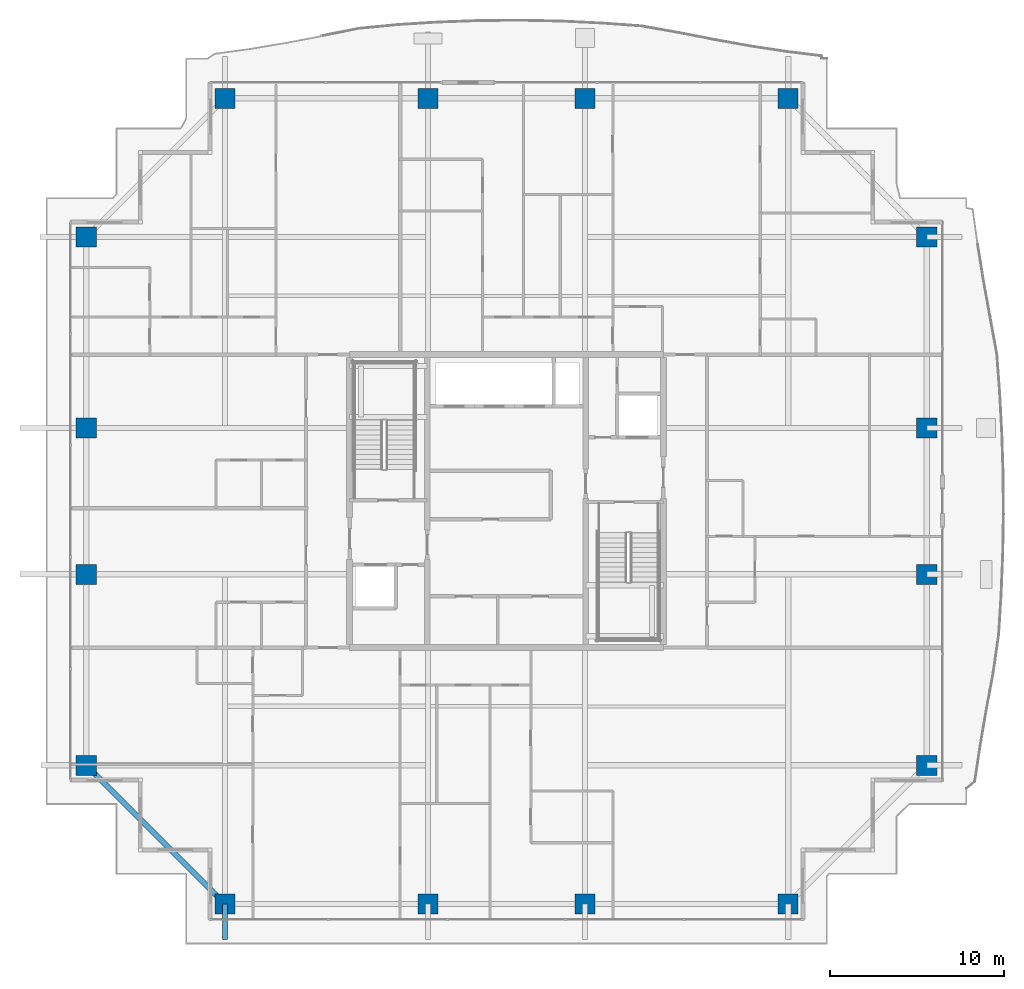
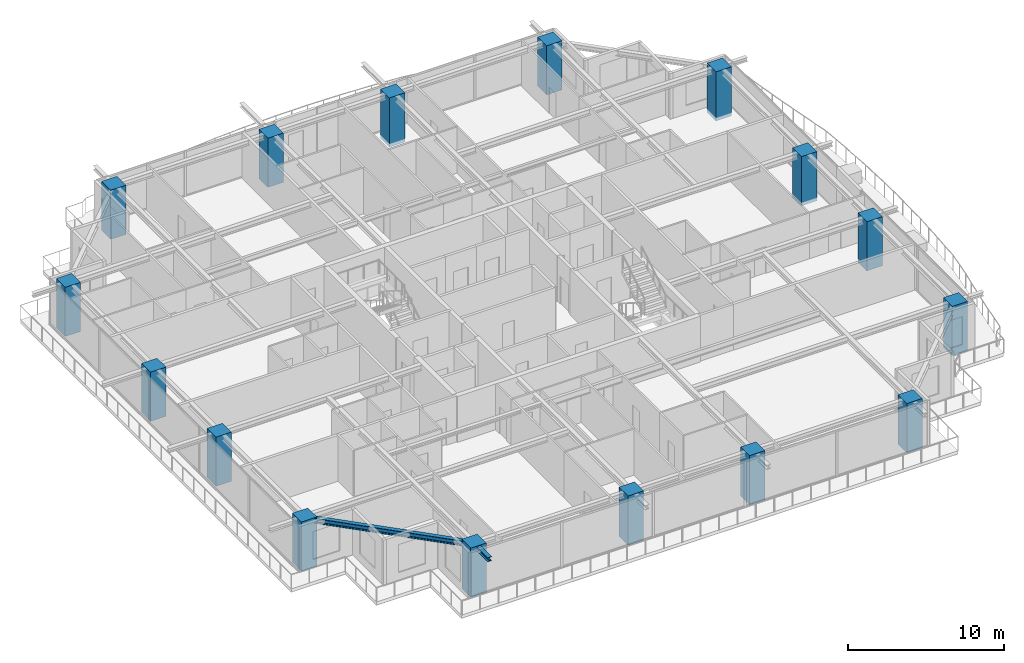
# One storey, part 1 of 37: 16 columns, 2 beams.
"""IFC4 building model written with IfcOpenShell, lengths in metres."""

import ifcopenshell
import ifcopenshell.guid

model = None  # the IFC model being written
_history = None  # IfcOwnerHistory: only IFC2X3 demands one
_inside = {}  # id of a spatial element -> (the spatial element, [elements in it])
_under = {}  # id of a project, library or spatial element -> (it, [spatial elements below it])
_declared = {}  # id of a project -> (the project, [libraries it declares])
_typed = {}  # id of a type object -> (the type object, [elements of that type])
_made_of = {}  # id of a material, layer set ... -> (it, [elements and type objects made of it])


def new_model(schema):
    """Start an empty IFC model of exactly this schema.

    Asked for "IFC4X3", IfcOpenShell would pick the latest addendum, in which some entities
    have other attributes; the version numbers below select the first issue.
    IFC2X3 requires an IfcOwnerHistory on every rooted entity: one is made here for all.
    """
    global model, _history
    if schema == "IFC4X3":
        model = ifcopenshell.file(schema_version=(4, 3, 0, 0))
    else:
        model = ifcopenshell.file(schema=schema)
    _inside.clear()
    _under.clear()
    _declared.clear()
    _typed.clear()
    _made_of.clear()
    _history = None
    if model.schema == "IFC2X3":
        org = make("IfcOrganization", Name="unknown")
        user = make(
            "IfcPersonAndOrganization",
            ThePerson=make("IfcPerson", FamilyName="unknown"),
            TheOrganization=org,
        )
        app = make(
            "IfcApplication",
            ApplicationDeveloper=org,
            Version="unknown",
            ApplicationFullName="unknown",
            ApplicationIdentifier="unknown",
        )
        _history = make(
            "IfcOwnerHistory",
            OwningUser=user,
            OwningApplication=app,
            ChangeAction="ADDED",
            CreationDate=0,
        )
    return model


def make(cls, **values):
    """One entity of the class cls with the attributes given. An attribute that is None is left unset."""
    return model.create_entity(
        cls, **{name: value for name, value in values.items() if value is not None}
    )


def rooted(cls, **values):
    """An entity with a GlobalId (a new one), such as an element, a storey or a relation."""
    return make(cls, GlobalId=ifcopenshell.guid.new(), OwnerHistory=_history, **values)


def si_unit(unit_type, name, prefix=None):
    """IfcSIUnit, for example si_unit("LENGTHUNIT", "METRE", prefix="MILLI")."""
    return make("IfcSIUnit", UnitType=unit_type, Prefix=prefix, Name=name)


def assignment(units):
    """IfcUnitAssignment: the units of a project."""
    return None if units is None else make("IfcUnitAssignment", Units=units)


def point(xyz):
    """IfcCartesianPoint."""
    return None if xyz is None else make("IfcCartesianPoint", Coordinates=xyz)


def direction(xyz):
    """IfcDirection."""
    return None if xyz is None else make("IfcDirection", DirectionRatios=xyz)


def frame(location, z_axis=None, x_axis=None):
    """IfcAxis2Placement3D, a coordinate frame: its origin and axes. An axis left out is left unset."""
    return make(
        "IfcAxis2Placement3D",
        Location=point(location),
        Axis=direction(z_axis),
        RefDirection=direction(x_axis),
    )


def frame_2d(location, x_axis=None):
    """IfcAxis2Placement2D, a coordinate frame in the plane: its origin and x axis."""
    return make(
        "IfcAxis2Placement2D", Location=point(location), RefDirection=direction(x_axis)
    )


def origin():
    """The frame at (0, 0, 0) with its axes left unset."""
    return frame((0.0, 0.0, 0.0))


def origin_2d():
    """The frame at (0, 0) in the plane with its x axis left unset."""
    return frame_2d((0.0, 0.0))


def place(relative_to, where):
    """IfcLocalPlacement: puts the frame where relative to a parent placement (None: the world)."""
    return make(
        "IfcLocalPlacement", PlacementRelTo=relative_to, RelativePlacement=where
    )


def context(
    kind, dimensions, precision=None, world=None, true_north=None, identifier=None
):
    """IfcGeometricRepresentationContext, for example the 3D "Model" context."""
    return make(
        "IfcGeometricRepresentationContext",
        ContextIdentifier=identifier,
        ContextType=kind,
        CoordinateSpaceDimension=dimensions,
        Precision=precision,
        WorldCoordinateSystem=world,
        TrueNorth=true_north,
    )


def subcontext(parent, identifier, kind, view, scale=None):
    """IfcGeometricRepresentationSubContext, for example "Body" below "Model"."""
    return make(
        "IfcGeometricRepresentationSubContext",
        ContextIdentifier=identifier,
        ContextType=kind,
        ParentContext=parent,
        TargetScale=scale,
        TargetView=view,
    )


def project(units=None, contexts=None):
    """IfcProject with its units and contexts."""
    return rooted(
        "IfcProject",
        Name="project",
        RepresentationContexts=contexts,
        UnitsInContext=assignment(units),
    )


def spatial(cls, under=None, at=None, **own):
    """A site, building, storey or space (cls), placed at a placement, below another one or the project."""
    s = rooted(cls, ObjectPlacement=at, **own)
    if under is not None:
        _under.setdefault(under.id(), (under, []))[1].append(s)
    return s


def profile(cls, at=None, kind="AREA", **sizes):
    """A parametric profile (cls). Its sizes go by their IFC names, for example OverallWidth=200.0."""
    return make(cls, ProfileType=kind, Position=at, **sizes)


def rectangle(**sizes):
    """IfcRectangleProfileDef."""
    return profile("IfcRectangleProfileDef", **sizes)


def i_section(**sizes):
    """IfcIShapeProfileDef."""
    return profile("IfcIShapeProfileDef", **sizes)


def extrude(swept, where, along, depth):
    """IfcExtrudedAreaSolid: the profile swept, set in the frame where, extruded along a direction by depth."""
    return make(
        "IfcExtrudedAreaSolid",
        SweptArea=swept,
        Position=where,
        ExtrudedDirection=direction(along),
        Depth=depth,
    )


def shape(context_of_items, identifier, shape_type, items):
    """IfcShapeRepresentation: the items that make up one representation, for example the "Body"."""
    return make(
        "IfcShapeRepresentation",
        ContextOfItems=context_of_items,
        RepresentationIdentifier=identifier,
        RepresentationType=shape_type,
        Items=items,
    )


def source(mapping_origin, context_of_items, identifier, shape_type, items):
    """IfcRepresentationMap: a shape defined once, which mapped items show again and again."""
    return make(
        "IfcRepresentationMap",
        MappingOrigin=mapping_origin,
        MappedRepresentation=shape(context_of_items, identifier, shape_type, items),
    )


def transform(
    local_origin,
    x_axis=None,
    y_axis=None,
    z_axis=None,
    scale=None,
    scale2=None,
    scale3=None,
    uniform=True,
):
    """IfcCartesianTransformationOperator3D, or its non-uniform kind. x_axis, y_axis, z_axis: its Axis1, 2, 3."""
    if uniform:
        return make(
            "IfcCartesianTransformationOperator3D",
            Axis1=direction(x_axis),
            Axis2=direction(y_axis),
            LocalOrigin=point(local_origin),
            Scale=scale,
            Axis3=direction(z_axis),
        )
    return make(
        "IfcCartesianTransformationOperator3DnonUniform",
        Axis1=direction(x_axis),
        Axis2=direction(y_axis),
        LocalOrigin=point(local_origin),
        Scale=scale,
        Axis3=direction(z_axis),
        Scale2=scale2,
        Scale3=scale3,
    )


def mapped(mapping_source, mapping_target):
    """IfcMappedItem: shows the shape of a source again, moved by a transform."""
    return make(
        "IfcMappedItem", MappingSource=mapping_source, MappingTarget=mapping_target
    )


def material(Name=None, Category=None):
    """IfcMaterial."""
    return make("IfcMaterial", Name=Name, Category=Category)


def material_profile(
    of_material, cross_section, Name=None, Category=None, Priority=None
):
    """IfcMaterialProfile: a cross section and its material."""
    return make(
        "IfcMaterialProfile",
        Name=Name,
        Material=of_material,
        Profile=cross_section,
        Priority=Priority,
        Category=Category,
    )


def profile_set(profiles, Name=None, composite=None):
    """IfcMaterialProfileSet."""
    return make(
        "IfcMaterialProfileSet",
        Name=Name,
        MaterialProfiles=profiles,
        CompositeProfile=composite,
    )


def made_of(thing, what):
    """Note that an element or type object is made of a material, layer set ...; save() writes the relation."""
    if what is not None:
        _made_of.setdefault(what.id(), (what, []))[1].append(thing)
    return thing


def type_object(cls, material=None, **own):
    """A type object (cls), such as IfcWallType, which elements share."""
    return made_of(rooted(cls, **own), material)


def element(
    cls,
    number,
    at=None,
    inside=None,
    cuts=None,
    type_object=None,
    material=None,
    context=None,
    identifier="Body",
    shape_type=None,
    held_by="IfcProductDefinitionShape",
    body=None,
    shapes=None,
    **own,
):
    """One element of the class cls, such as IfcWall. Its Tag is "e" and its number.

    at: its placement. inside: the storey or other place that contains it. cuts: it is an
    opening in that element (IfcRelVoidsElement). A single representation is given by context,
    identifier, shape_type and body (its items); several are given by shapes. held_by: the class
    of the entity that holds the representations. save() writes the other relations.
    """
    e = rooted(cls, Tag="e%d" % number, ObjectPlacement=at, **own)
    if body is not None:
        shapes = [shape(context, identifier, shape_type, body)]
    if shapes is not None:
        e.Representation = make(held_by, Representations=shapes)
    if inside is not None:
        _inside.setdefault(inside.id(), (inside, []))[1].append(e)
    if cuts is not None:
        rooted(
            "IfcRelVoidsElement", RelatingBuildingElement=cuts, RelatedOpeningElement=e
        )
    if type_object is not None:
        _typed.setdefault(type_object.id(), (type_object, []))[1].append(e)
    return made_of(e, material)


def aggregate(whole, parts):
    """IfcRelAggregates: a whole, such as a stair, and the parts it consists of."""
    return rooted("IfcRelAggregates", RelatingObject=whole, RelatedObjects=parts)


def save(model, path):
    """Write the relations noted so far, then the file.

    IfcRelAggregates (storeys below a building ...), IfcRelContainedInSpatialStructure (elements
    in a storey), IfcRelDefinesByType, IfcRelAssociatesMaterial and IfcRelDeclares: one each for
    every whole, place, type object, material and project.
    """
    for whole, parts in _under.values():
        aggregate(whole, parts)
    for where, things in _inside.values():
        rooted(
            "IfcRelContainedInSpatialStructure",
            RelatedElements=things,
            RelatingStructure=where,
        )
    for kind, things in _typed.values():
        rooted("IfcRelDefinesByType", RelatedObjects=things, RelatingType=kind)
    for what, things in _made_of.values():
        rooted("IfcRelAssociatesMaterial", RelatedObjects=things, RelatingMaterial=what)
    for by, libraries in _declared.values():
        rooted("IfcRelDeclares", RelatingContext=by, RelatedDefinitions=libraries)
    model.write(path)


model = new_model("IFC4")

# Units and contexts
model_context = context("Model", 3, precision=1e-05, world=origin(), true_north=direction((0.0, 1.0)))
body_context = subcontext(model_context, "Body", "Model", "MODEL_VIEW")
ifc_project = project(units=[si_unit("LENGTHUNIT", "METRE"), si_unit("AREAUNIT", "SQUARE_METRE"), si_unit("VOLUMEUNIT", "CUBIC_METRE"), si_unit("PLANEANGLEUNIT", "RADIAN"), si_unit("MASSUNIT", "GRAM", prefix="KILO")], contexts=[model_context])

# Site, building, storey
site_placement = place(None, origin())
site = spatial("IfcSite", under=ifc_project, at=site_placement, CompositionType="ELEMENT")
building_placement = place(site_placement, origin())
building = spatial("IfcBuilding", under=site, at=building_placement, Name="Serunith Strait Residences", CompositionType="ELEMENT")
storey_placement = place(building_placement, frame((0.0, 0.0, 248.949951171875)))
storey = spatial("IfcBuildingStorey", under=building, at=storey_placement, Name="L62", CompositionType="ELEMENT", Elevation=248.949951171875)

# Columns
ifc_material_1 = material(Name="Concrete C80/95", Category="concrete")
ifc_material_profile_1 = material_profile(ifc_material_1, rectangle(XDim=1.14990234375, YDim=1.14990234375, at=origin_2d()), Name="RC 1150x1150")
ifc_profile_set_1 = profile_set([ifc_material_profile_1], Name="Concrete C80/95")
column_type = type_object("IfcColumnType", Name="COL-RC-1150", PredefinedType="COLUMN", material=ifc_profile_set_1)
shared_shape_1 = source(origin(), body_context, "Body", "SweptSolid", [
    extrude(rectangle(XDim=1.14990234375, YDim=1.14990234375, at=origin_2d()), origin(), (0.0, 0.0, 1.0), 3.85009765625),
])
for number, where, z_axis, x_axis, name in (
    (1, (16.25, 2.10009765625, -0.260009765625), (0.0, 0.0, 1.0), (1.0, 0.0, 0.0), "L62 Tower Mega-Column TC-S1"),
    (2, (27.89990234375, 2.10009765625, -0.260009765625), (0.0, 0.0, 1.0), (1.0, 0.0, 0.0), "L62 Tower Mega-Column TC-S2"),
    (3, (36.89990234375, 2.10009765625, -0.260009765625), (0.0, 0.0, 1.0), (1.0, 0.0, 0.0), "L62 Tower Mega-Column TC-S3"),
    (4, (48.550048828125, 2.10009765625, -0.260009765625), (0.0, 0.0, 1.0), (1.0, 0.0, 0.0), "L62 Tower Mega-Column TC-S4"),
    (5, (16.25, 48.300048828125, -0.260009765625), (0.0, 0.0, 1.0), (1.0, 0.0, 0.0), "L62 Tower Mega-Column TC-N1"),
    (6, (27.89990234375, 48.300048828125, -0.260009765625), (0.0, 0.0, 1.0), (1.0, 0.0, 0.0), "L62 Tower Mega-Column TC-N2"),
    (7, (36.89990234375, 48.300048828125, -0.260009765625), (0.0, 0.0, 1.0), (1.0, 0.0, 0.0), "L62 Tower Mega-Column TC-N3"),
    (8, (48.550048828125, 48.300048828125, -0.260009765625), (0.0, 0.0, 1.0), (1.0, 0.0, 0.0), "L62 Tower Mega-Column TC-N4"),
    (9, (56.5, 10.050048828125, -0.260009765625), (0.0, 0.0, 1.0), (1.0, 0.0, 0.0), "L62 Tower Mega-Column TC-E1"),
    (10, (56.5, 21.0, -0.260009765625), (0.0, 0.0, 1.0), (1.0, 0.0, 0.0), "L62 Tower Mega-Column TC-E2"),
    (11, (56.5, 29.39990234375, -0.260009765625), (0.0, 0.0, 1.0), (1.0, 0.0, 0.0), "L62 Tower Mega-Column TC-E3"),
    (12, (56.5, 40.35009765625, -0.260009765625), (0.0, 0.0, 1.0), (1.0, 0.0, 0.0), "L62 Tower Mega-Column TC-E4"),
    (13, (8.300048828125, 10.050048828125, -0.260009765625), (0.0, 0.0, 1.0), (1.0, 0.0, 0.0), "L62 Tower Mega-Column TC-W1"),
    (14, (8.300048828125, 21.0, -0.260009765625), (0.0, 0.0, 1.0), (1.0, 0.0, 0.0), "L62 Tower Mega-Column TC-W2"),
    (15, (8.300048828125, 29.39990234375, -0.260009765625), (0.0, 0.0, 1.0), (1.0, 0.0, 0.0), "L62 Tower Mega-Column TC-W3"),
    (16, (8.300048828125, 40.35009765625, -0.260009765625), (0.0, 0.0, 1.0), (1.0, 0.0, 0.0), "L62 Tower Mega-Column TC-W4"),
):
    element("IfcColumn", number, at=place(storey_placement, frame(where, z_axis=z_axis, x_axis=x_axis)), inside=storey, type_object=column_type, Name=name, PredefinedType="COLUMN", context=body_context, shape_type="MappedRepresentation", body=[
        mapped(shared_shape_1, transform((0.0, 0.0, 0.0), scale=1.0)),
    ])

# Beams
ifc_material_2 = material(Name="Steel S355J2", Category="steel")
ifc_material_profile_2 = material_profile(ifc_material_2, i_section(OverallWidth=0.300048828125, OverallDepth=0.39990234375, WebThickness=0.013427734375, FlangeThickness=0.02392578125, FilletRadius=0.027099609375, at=origin_2d()), Name="HEB 400")
ifc_profile_set_2 = profile_set([ifc_material_profile_2], Name="Steel S355J2")
beam_type_1 = type_object("IfcBeamType", Name="BM-HEB400", PredefinedType="BEAM", material=ifc_profile_set_2)
shared_shape_2 = source(origin(), body_context, "Body", "SweptSolid", [
    extrude(i_section(OverallWidth=0.300048828125, OverallDepth=0.39990234375, WebThickness=0.013427734375, FlangeThickness=0.02392578125, FilletRadius=0.027099609375, at=origin_2d()), origin(), (0.0, 0.0, 1.0), 11.242919921875),
])
beam_1_placement = place(storey_placement, frame((8.300048828125, 10.050048828125, 3.35693359375), z_axis=(0.707106781187, -0.707106781187, 0.0), x_axis=(0.707106781187, 0.707106781187, 0.0)))
element("IfcBeam", 17, at=beam_1_placement, inside=storey, type_object=beam_type_1, Name="L62 Perimeter Ring Beam 16", PredefinedType="BEAM", context=body_context, shape_type="MappedRepresentation", body=[
    mapped(shared_shape_2, transform((0.0, 0.0, 0.0), scale=1.0)),
])
ifc_material_profile_3 = material_profile(ifc_material_2, i_section(OverallWidth=0.300048828125, OverallDepth=0.320068359375, WebThickness=0.011474609375, FlangeThickness=0.0205078125, FilletRadius=0.027099609375, at=origin_2d()), Name="HEB 320")
ifc_profile_set_3 = profile_set([ifc_material_profile_3], Name="Steel S355J2")
beam_type_2 = type_object("IfcBeamType", Name="BM-HEB320", PredefinedType="BEAM", material=ifc_profile_set_3)
shared_shape_3 = source(origin(), body_context, "Body", "SweptSolid", [
    extrude(i_section(OverallWidth=0.300048828125, OverallDepth=0.320068359375, WebThickness=0.011474609375, FlangeThickness=0.0205078125, FilletRadius=0.027099609375, at=origin_2d()), origin(), (0.0, 0.0, 1.0), 2.030029296875),
])
beam_2_placement = place(storey_placement, frame((16.25, 2.10009765625, 3.39697265625), z_axis=(0.0, -1.0, 0.0), x_axis=(1.0, 0.0, 0.0)))
element("IfcBeam", 18, at=beam_2_placement, inside=storey, type_object=beam_type_2, Name="L63 Cantilevered Balcony Rib TC-S1", PredefinedType="BEAM", context=body_context, shape_type="MappedRepresentation", body=[
    mapped(shared_shape_3, transform((0.0, 0.0, 0.0), scale=1.0)),
])

save(model, "model.ifc")
